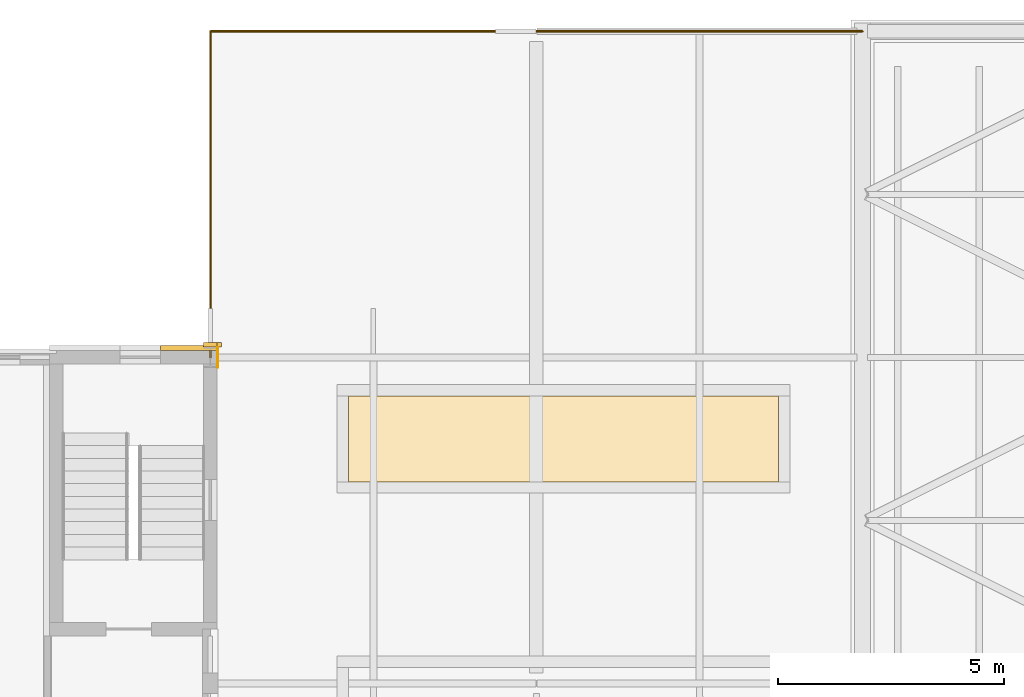
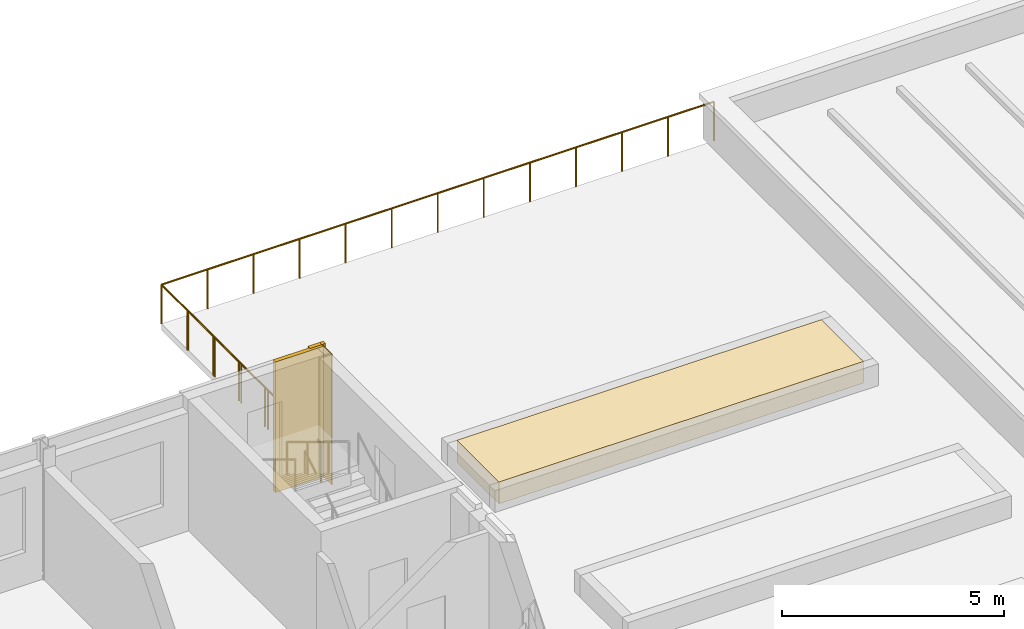
# One storey, part 109 of 110: 5 coverings, 2 railings.
"""IFC4 building model written with IfcOpenShell, lengths in metres."""

import ifcopenshell
import ifcopenshell.guid

model = None  # the IFC model being written
_history = None  # IfcOwnerHistory: only IFC2X3 demands one
_inside = {}  # id of a spatial element -> (the spatial element, [elements in it])
_under = {}  # id of a project, library or spatial element -> (it, [spatial elements below it])
_declared = {}  # id of a project -> (the project, [libraries it declares])
_typed = {}  # id of a type object -> (the type object, [elements of that type])
_made_of = {}  # id of a material, layer set ... -> (it, [elements and type objects made of it])


def new_model(schema):
    """Start an empty IFC model of exactly this schema.

    Asked for "IFC4X3", IfcOpenShell would pick the latest addendum, in which some entities
    have other attributes; the version numbers below select the first issue.
    IFC2X3 requires an IfcOwnerHistory on every rooted entity: one is made here for all.
    """
    global model, _history
    if schema == "IFC4X3":
        model = ifcopenshell.file(schema_version=(4, 3, 0, 0))
    else:
        model = ifcopenshell.file(schema=schema)
    _inside.clear()
    _under.clear()
    _declared.clear()
    _typed.clear()
    _made_of.clear()
    _history = None
    if model.schema == "IFC2X3":
        org = make("IfcOrganization", Name="unknown")
        user = make(
            "IfcPersonAndOrganization",
            ThePerson=make("IfcPerson", FamilyName="unknown"),
            TheOrganization=org,
        )
        app = make(
            "IfcApplication",
            ApplicationDeveloper=org,
            Version="unknown",
            ApplicationFullName="unknown",
            ApplicationIdentifier="unknown",
        )
        _history = make(
            "IfcOwnerHistory",
            OwningUser=user,
            OwningApplication=app,
            ChangeAction="ADDED",
            CreationDate=0,
        )
    return model


def make(cls, **values):
    """One entity of the class cls with the attributes given. An attribute that is None is left unset."""
    return model.create_entity(
        cls, **{name: value for name, value in values.items() if value is not None}
    )


def rooted(cls, **values):
    """An entity with a GlobalId (a new one), such as an element, a storey or a relation."""
    return make(cls, GlobalId=ifcopenshell.guid.new(), OwnerHistory=_history, **values)


def si_unit(unit_type, name, prefix=None):
    """IfcSIUnit, for example si_unit("LENGTHUNIT", "METRE", prefix="MILLI")."""
    return make("IfcSIUnit", UnitType=unit_type, Prefix=prefix, Name=name)


def assignment(units):
    """IfcUnitAssignment: the units of a project."""
    return None if units is None else make("IfcUnitAssignment", Units=units)


def point(xyz):
    """IfcCartesianPoint."""
    return None if xyz is None else make("IfcCartesianPoint", Coordinates=xyz)


def direction(xyz):
    """IfcDirection."""
    return None if xyz is None else make("IfcDirection", DirectionRatios=xyz)


def frame(location, z_axis=None, x_axis=None):
    """IfcAxis2Placement3D, a coordinate frame: its origin and axes. An axis left out is left unset."""
    return make(
        "IfcAxis2Placement3D",
        Location=point(location),
        Axis=direction(z_axis),
        RefDirection=direction(x_axis),
    )


def frame_2d(location, x_axis=None):
    """IfcAxis2Placement2D, a coordinate frame in the plane: its origin and x axis."""
    return make(
        "IfcAxis2Placement2D", Location=point(location), RefDirection=direction(x_axis)
    )


def origin():
    """The frame at (0, 0, 0) with its axes left unset."""
    return frame((0.0, 0.0, 0.0))


def origin_2d():
    """The frame at (0, 0) in the plane with its x axis left unset."""
    return frame_2d((0.0, 0.0))


def place(relative_to, where):
    """IfcLocalPlacement: puts the frame where relative to a parent placement (None: the world)."""
    return make(
        "IfcLocalPlacement", PlacementRelTo=relative_to, RelativePlacement=where
    )


def context(
    kind, dimensions, precision=None, world=None, true_north=None, identifier=None
):
    """IfcGeometricRepresentationContext, for example the 3D "Model" context."""
    return make(
        "IfcGeometricRepresentationContext",
        ContextIdentifier=identifier,
        ContextType=kind,
        CoordinateSpaceDimension=dimensions,
        Precision=precision,
        WorldCoordinateSystem=world,
        TrueNorth=true_north,
    )


def subcontext(parent, identifier, kind, view, scale=None):
    """IfcGeometricRepresentationSubContext, for example "Body" below "Model"."""
    return make(
        "IfcGeometricRepresentationSubContext",
        ContextIdentifier=identifier,
        ContextType=kind,
        ParentContext=parent,
        TargetScale=scale,
        TargetView=view,
    )


def project(units=None, contexts=None):
    """IfcProject with its units and contexts."""
    return rooted(
        "IfcProject",
        Name="project",
        RepresentationContexts=contexts,
        UnitsInContext=assignment(units),
    )


def spatial(cls, under=None, at=None, **own):
    """A site, building, storey or space (cls), placed at a placement, below another one or the project."""
    s = rooted(cls, ObjectPlacement=at, **own)
    if under is not None:
        _under.setdefault(under.id(), (under, []))[1].append(s)
    return s


def profile(cls, at=None, kind="AREA", **sizes):
    """A parametric profile (cls). Its sizes go by their IFC names, for example OverallWidth=200.0."""
    return make(cls, ProfileType=kind, Position=at, **sizes)


def rectangle(**sizes):
    """IfcRectangleProfileDef."""
    return profile("IfcRectangleProfileDef", **sizes)


def circle(**sizes):
    """IfcCircleProfileDef."""
    return profile("IfcCircleProfileDef", **sizes)


def extrude(swept, where, along, depth):
    """IfcExtrudedAreaSolid: the profile swept, set in the frame where, extruded along a direction by depth."""
    return make(
        "IfcExtrudedAreaSolid",
        SweptArea=swept,
        Position=where,
        ExtrudedDirection=direction(along),
        Depth=depth,
    )


def shape(context_of_items, identifier, shape_type, items):
    """IfcShapeRepresentation: the items that make up one representation, for example the "Body"."""
    return make(
        "IfcShapeRepresentation",
        ContextOfItems=context_of_items,
        RepresentationIdentifier=identifier,
        RepresentationType=shape_type,
        Items=items,
    )


def material(Name=None, Category=None):
    """IfcMaterial."""
    return make("IfcMaterial", Name=Name, Category=Category)


def layer(
    of_material, thickness, ventilated=None, Name=None, Category=None, Priority=None
):
    """IfcMaterialLayer: one layer of a wall or slab, of a material (None: an air gap)."""
    return make(
        "IfcMaterialLayer",
        Material=of_material,
        LayerThickness=thickness,
        IsVentilated=ventilated,
        Name=Name,
        Category=Category,
        Priority=Priority,
    )


def layer_set(layers, Name=None):
    """IfcMaterialLayerSet."""
    return make("IfcMaterialLayerSet", MaterialLayers=layers, LayerSetName=Name)


def made_of(thing, what):
    """Note that an element or type object is made of a material, layer set ...; save() writes the relation."""
    if what is not None:
        _made_of.setdefault(what.id(), (what, []))[1].append(thing)
    return thing


def type_object(cls, material=None, **own):
    """A type object (cls), such as IfcWallType, which elements share."""
    return made_of(rooted(cls, **own), material)


def element(
    cls,
    number,
    at=None,
    inside=None,
    cuts=None,
    type_object=None,
    material=None,
    context=None,
    identifier="Body",
    shape_type=None,
    held_by="IfcProductDefinitionShape",
    body=None,
    shapes=None,
    **own,
):
    """One element of the class cls, such as IfcWall. Its Tag is "e" and its number.

    at: its placement. inside: the storey or other place that contains it. cuts: it is an
    opening in that element (IfcRelVoidsElement). A single representation is given by context,
    identifier, shape_type and body (its items); several are given by shapes. held_by: the class
    of the entity that holds the representations. save() writes the other relations.
    """
    e = rooted(cls, Tag="e%d" % number, ObjectPlacement=at, **own)
    if body is not None:
        shapes = [shape(context, identifier, shape_type, body)]
    if shapes is not None:
        e.Representation = make(held_by, Representations=shapes)
    if inside is not None:
        _inside.setdefault(inside.id(), (inside, []))[1].append(e)
    if cuts is not None:
        rooted(
            "IfcRelVoidsElement", RelatingBuildingElement=cuts, RelatedOpeningElement=e
        )
    if type_object is not None:
        _typed.setdefault(type_object.id(), (type_object, []))[1].append(e)
    return made_of(e, material)


def aggregate(whole, parts):
    """IfcRelAggregates: a whole, such as a stair, and the parts it consists of."""
    return rooted("IfcRelAggregates", RelatingObject=whole, RelatedObjects=parts)


def save(model, path):
    """Write the relations noted so far, then the file.

    IfcRelAggregates (storeys below a building ...), IfcRelContainedInSpatialStructure (elements
    in a storey), IfcRelDefinesByType, IfcRelAssociatesMaterial and IfcRelDeclares: one each for
    every whole, place, type object, material and project.
    """
    for whole, parts in _under.values():
        aggregate(whole, parts)
    for where, things in _inside.values():
        rooted(
            "IfcRelContainedInSpatialStructure",
            RelatedElements=things,
            RelatingStructure=where,
        )
    for kind, things in _typed.values():
        rooted("IfcRelDefinesByType", RelatedObjects=things, RelatingType=kind)
    for what, things in _made_of.values():
        rooted("IfcRelAssociatesMaterial", RelatedObjects=things, RelatingMaterial=what)
    for by, libraries in _declared.values():
        rooted("IfcRelDeclares", RelatingContext=by, RelatedDefinitions=libraries)
    model.write(path)


model = new_model("IFC4")

# Units and contexts
model_context = context("Model", 3, precision=1e-05, world=origin(), true_north=direction((0.0, 1.0)))
body_context = subcontext(model_context, "Body", "Model", "MODEL_VIEW")
ifc_project = project(units=[si_unit("LENGTHUNIT", "METRE"), si_unit("AREAUNIT", "SQUARE_METRE"), si_unit("VOLUMEUNIT", "CUBIC_METRE"), si_unit("PLANEANGLEUNIT", "RADIAN"), si_unit("MASSUNIT", "GRAM", prefix="KILO")], contexts=[model_context])

# Site, building, storey
site_placement = place(None, origin())
site = spatial("IfcSite", under=ifc_project, at=site_placement, CompositionType="ELEMENT")
building_placement = place(site_placement, origin())
building = spatial("IfcBuilding", under=site, at=building_placement, Name="Kupolbacken Congress Centre", CompositionType="ELEMENT")
storey_placement = place(building_placement, frame((0.0, 0.0, 18.0)))
storey = spatial("IfcBuildingStorey", under=building, at=storey_placement, Name="L05", CompositionType="ELEMENT", Elevation=18.0)

# Coverings
ifc_material_1 = material(Name="Brick cladding", Category="masonry")
ifc_layer_1 = layer(ifc_material_1, 0.10791015625)
ifc_layer_set_1 = layer_set([ifc_layer_1], Name="Brick cladding")
covering_type_1 = type_object("IfcCoveringType", Name="CV2 brick cladding band 108", PredefinedType="CLADDING", material=ifc_layer_set_1)
covering_1_placement = place(storey_placement, frame((137.0, 144.27490234375, 0.0), z_axis=(0.0, 0.0, 1.0), x_axis=(1.0, 0.0, 0.0)))
element("IfcCovering", 1, at=covering_1_placement, inside=storey, type_object=covering_type_1, Name="E/T/pilaster/L05/C-T-20W/corner", PredefinedType="CLADDING", context=body_context, shape_type="SweptSolid", body=[
    extrude(rectangle(XDim=0.10009765625, YDim=0.10009765625, at=origin_2d()), origin(), (0.0, 0.0, 1.0), 3.60009765625),
])
covering_2_placement = place(storey_placement, frame((136.9599609375, 144.0, 0.0), z_axis=(0.0, 0.0, 1.0), x_axis=(1.0, 0.0, 0.0)))
element("IfcCovering", 2, at=covering_2_placement, inside=storey, type_object=covering_type_1, Name="E/T/pilaster/L05/C-T-20W/E", PredefinedType="CLADDING", context=body_context, shape_type="SweptSolid", body=[
    extrude(rectangle(XDim=0.02001953125, YDim=0.449951171875, at=origin_2d()), origin(), (0.0, 0.0, 1.0), 3.60009765625),
])
covering_3_placement = place(storey_placement, frame((136.800048828125, 144.27490234375, 0.0), z_axis=(0.0, 0.0, 1.0), x_axis=(1.0, 0.0, 0.0)))
element("IfcCovering", 3, at=covering_3_placement, inside=storey, type_object=covering_type_1, Name="E/T/pilaster/L05/C-T-20W/N", PredefinedType="CLADDING", context=body_context, shape_type="SweptSolid", body=[
    extrude(rectangle(XDim=0.300048828125, YDim=0.10009765625, at=origin_2d()), origin(), (0.0, 0.0, 1.0), 3.60009765625),
])
covering_4_placement = place(storey_placement, frame((136.324951171875, 144.2041015625, 0.0), z_axis=(0.0, 0.0, 1.0), x_axis=(-1.0, 0.0, 0.0)))
element("IfcCovering", 4, at=covering_4_placement, inside=storey, type_object=covering_type_1, Name="S/core/L05/131/face0", PredefinedType="CLADDING", context=body_context, shape_type="SweptSolid", body=[
    extrude(rectangle(XDim=1.25, YDim=0.10791015625, at=origin_2d()), origin(), (0.0, 0.0, 1.0), 3.60009765625),
])
ifc_material_2 = material(Name="Planting substrate", Category="soil")
ifc_layer_2 = layer(ifc_material_2, 0.60009765625)
ifc_layer_set_2 = layer_set([ifc_layer_2], Name="Planting substrate")
covering_type_2 = type_object("IfcCoveringType", Name="GR8 planting substrate 600", PredefinedType="FLOORING", material=ifc_layer_set_2)
covering_5_placement = place(storey_placement, frame((144.60009765625, 142.199951171875, 0.0), z_axis=(0.0, 0.0, 1.0), x_axis=(1.0, 0.0, 0.0)))
element("IfcCovering", 5, at=covering_5_placement, inside=storey, type_object=covering_type_2, Name="Planting substrate", PredefinedType="FLOORING", context=body_context, shape_type="SweptSolid", body=[
    extrude(rectangle(XDim=9.5, YDim=1.89990234375, at=origin_2d()), origin(), (0.0, 0.0, 1.0), 0.60009765625),
])

# Railings
ifc_material_3 = material(Name="Steel S235", Category="steel")
railing_type = type_object("IfcRailingType", Name="RL1 guard 1100 steel balustrade", PredefinedType="GUARDRAIL", material=ifc_material_3)
railing_1_placement = place(storey_placement, frame((151.199951171875, 151.199951171875, 0.0)))
element("IfcRailing", 6, at=railing_1_placement, inside=storey, type_object=railing_type, Name="E/guard/foyer-roof-north", PredefinedType="GUARDRAIL", context=body_context, shape_type="SweptSolid", body=[
    extrude(circle(Radius=0.02392578125, at=origin_2d()), frame((0.0, 0.0, 1.076171875), z_axis=(-1.0, 0.0, 0.0), x_axis=(0.0, -1.0, 0.0)), (0.0, 0.0, 1.0), 14.39990234375),
    extrude(circle(Radius=0.02392578125, at=origin_2d()), frame((-14.39990234375, 0.0, 1.076171875), z_axis=(0.0, -1.0, 0.0), x_axis=(1.0, 0.0, 0.0)), (0.0, 0.0, 1.0), 7.199951171875),
    extrude(circle(Radius=0.02099609375, at=origin_2d()), origin(), (0.0, 0.0, 1.0), 1.052001953125),
    extrude(circle(Radius=0.02099609375, at=origin_2d()), frame((-1.199951171875, 0.0, 0.0)), (0.0, 0.0, 1.0), 1.052001953125),
    extrude(circle(Radius=0.02099609375, at=origin_2d()), frame((-2.39990234375, 0.0, 0.0)), (0.0, 0.0, 1.0), 1.052001953125),
    extrude(circle(Radius=0.02099609375, at=origin_2d()), frame((-3.60009765625, 0.0, 0.0)), (0.0, 0.0, 1.0), 1.052001953125),
    extrude(circle(Radius=0.02099609375, at=origin_2d()), frame((-4.800048828125, 0.0, 0.0)), (0.0, 0.0, 1.0), 1.052001953125),
    extrude(circle(Radius=0.02099609375, at=origin_2d()), frame((-6.0, 0.0, 0.0)), (0.0, 0.0, 1.0), 1.052001953125),
    extrude(circle(Radius=0.02099609375, at=origin_2d()), frame((-7.199951171875, 0.0, 0.0)), (0.0, 0.0, 1.0), 1.052001953125),
    extrude(circle(Radius=0.02099609375, at=origin_2d()), frame((-8.39990234375, 0.0, 0.0)), (0.0, 0.0, 1.0), 1.052001953125),
    extrude(circle(Radius=0.02099609375, at=origin_2d()), frame((-9.599853515625, 0.0, 0.0)), (0.0, 0.0, 1.0), 1.052001953125),
    extrude(circle(Radius=0.02099609375, at=origin_2d()), frame((-10.7998046875, 0.0, 0.0)), (0.0, 0.0, 1.0), 1.052001953125),
    extrude(circle(Radius=0.02099609375, at=origin_2d()), frame((-12.0, 0.0, 0.0)), (0.0, 0.0, 1.0), 1.052001953125),
    extrude(circle(Radius=0.02099609375, at=origin_2d()), frame((-13.199951171875, 0.0, 0.0)), (0.0, 0.0, 1.0), 1.052001953125),
    extrude(circle(Radius=0.02099609375, at=origin_2d()), frame((-14.39990234375, 0.0, 0.0)), (0.0, 0.0, 1.0), 1.052001953125),
    extrude(circle(Radius=0.02099609375, at=origin_2d()), frame((-14.39990234375, -1.199951171875, 0.0)), (0.0, 0.0, 1.0), 1.052001953125),
    extrude(circle(Radius=0.02099609375, at=origin_2d()), frame((-14.39990234375, -2.39990234375, 0.0)), (0.0, 0.0, 1.0), 1.052001953125),
    extrude(circle(Radius=0.02099609375, at=origin_2d()), frame((-14.39990234375, -3.60009765625, 0.0)), (0.0, 0.0, 1.0), 1.052001953125),
    extrude(circle(Radius=0.02099609375, at=origin_2d()), frame((-14.39990234375, -4.800048828125, 0.0)), (0.0, 0.0, 1.0), 1.052001953125),
    extrude(circle(Radius=0.02099609375, at=origin_2d()), frame((-14.39990234375, -6.0, 0.0)), (0.0, 0.0, 1.0), 1.052001953125),
    extrude(circle(Radius=0.02099609375, at=origin_2d()), frame((-14.39990234375, -7.199951171875, 0.0)), (0.0, 0.0, 1.0), 1.052001953125),
])
railing_2_placement = place(storey_placement, frame((136.800048828125, 144.199951171875, 0.0)))
element("IfcRailing", 7, at=railing_2_placement, inside=storey, type_object=railing_type, Name="E/T/guard/TER-BF", PredefinedType="GUARDRAIL", context=body_context, shape_type="SweptSolid", body=[
    extrude(circle(Radius=0.02392578125, at=origin_2d()), frame((0.0, 0.0, 1.076171875), z_axis=(0.0, 1.0, 0.0), x_axis=(-1.0, 0.0, 0.0)), (0.0, 0.0, 1.0), 7.0),
    extrude(circle(Radius=0.02099609375, at=origin_2d()), origin(), (0.0, 0.0, 1.0), 1.052001953125),
    extrude(circle(Radius=0.02099609375, at=origin_2d()), frame((0.0, 1.166748046875, 0.0)), (0.0, 0.0, 1.0), 1.052001953125),
    extrude(circle(Radius=0.02099609375, at=origin_2d()), frame((0.0, 2.333251953125, 0.0)), (0.0, 0.0, 1.0), 1.052001953125),
    extrude(circle(Radius=0.02099609375, at=origin_2d()), frame((0.0, 3.5, 0.0)), (0.0, 0.0, 1.0), 1.052001953125),
    extrude(circle(Radius=0.02099609375, at=origin_2d()), frame((0.0, 4.666748046875, 0.0)), (0.0, 0.0, 1.0), 1.052001953125),
    extrude(circle(Radius=0.02099609375, at=origin_2d()), frame((0.0, 5.833251953125, 0.0)), (0.0, 0.0, 1.0), 1.052001953125),
    extrude(circle(Radius=0.02099609375, at=origin_2d()), frame((0.0, 7.0, 0.0)), (0.0, 0.0, 1.0), 1.052001953125),
])

save(model, "model.ifc")
